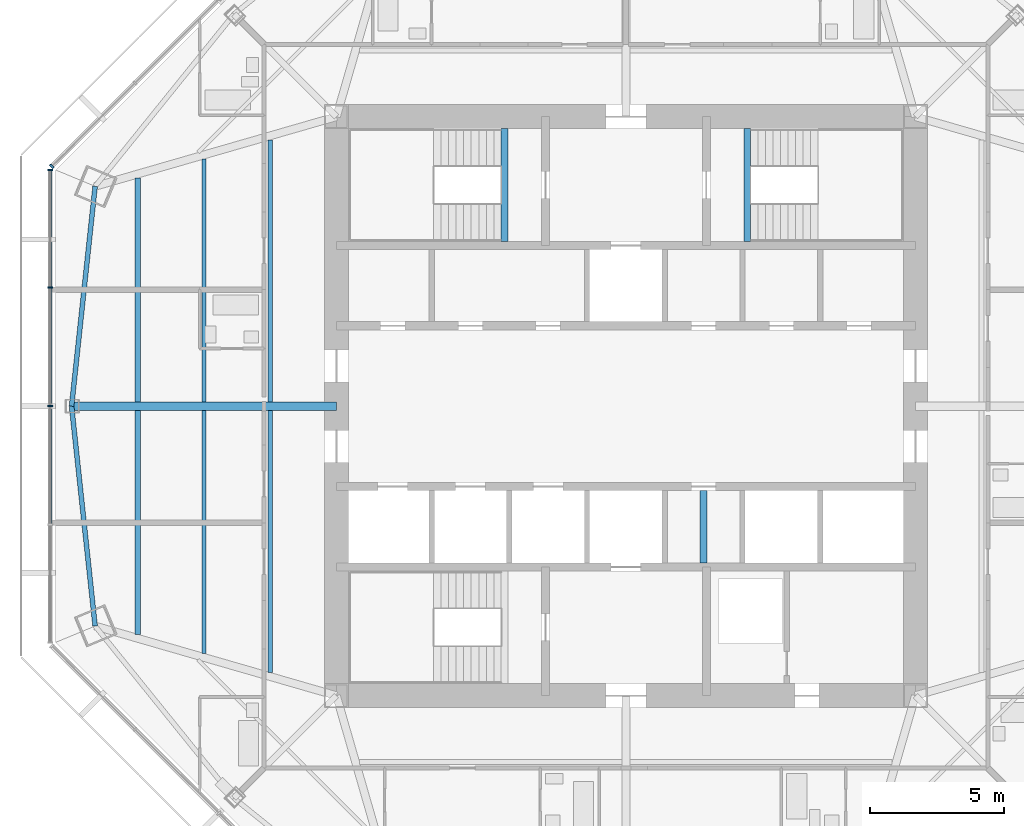
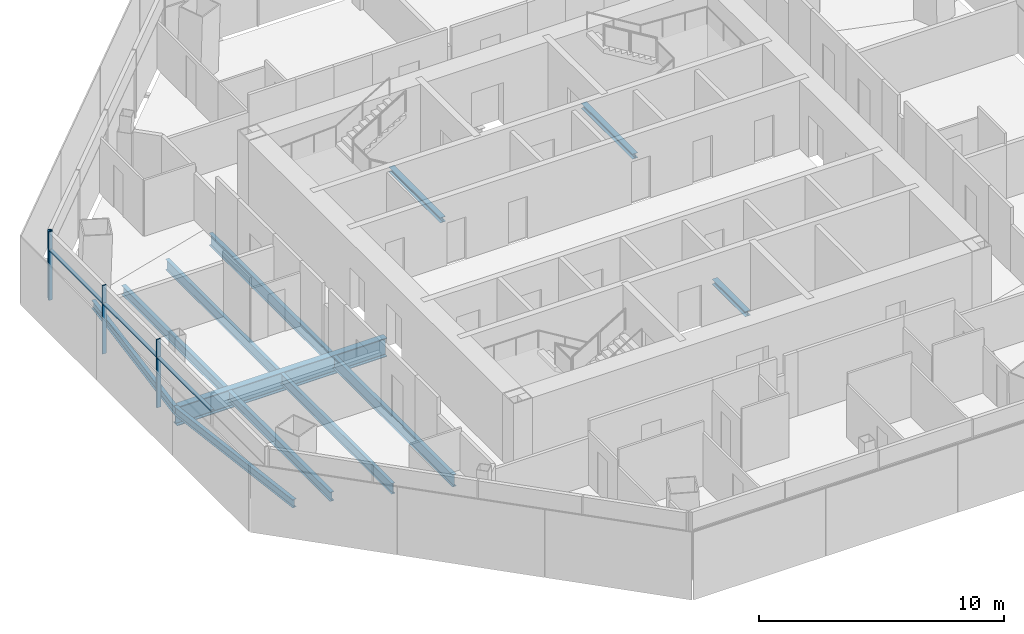
# One storey, part 3 of 15: 12 beams, 7 members, 2 elements without a shape of their own.
"""IFC4 building model written with IfcOpenShell, lengths in metres."""

from ifc_helpers import new_model, si_unit, direction, frame, origin, origin_2d, place, context, subcontext, project, spatial, rectangle, i_section, extrude, source, transform, mapped, material, material_profile, profile_set, type_object, type_shapes, element, aggregate, save


model = new_model("IFC4")

# Units and contexts
model_context = context("Model", 3, precision=1e-05, world=origin(), true_north=direction((0.0, 1.0)))
body_context = subcontext(model_context, "Body", "Model", "MODEL_VIEW")
ifc_project = project(units=[si_unit("LENGTHUNIT", "METRE"), si_unit("AREAUNIT", "SQUARE_METRE"), si_unit("VOLUMEUNIT", "CUBIC_METRE"), si_unit("PLANEANGLEUNIT", "RADIAN"), si_unit("MASSUNIT", "GRAM", prefix="KILO")], contexts=[model_context])

# Site, building, storey
site_placement = place(None, origin())
site = spatial("IfcSite", under=ifc_project, at=site_placement, CompositionType="ELEMENT")
building_placement = place(site_placement, origin())
building = spatial("IfcBuilding", under=site, at=building_placement, Name="Mashrafa Tower", CompositionType="ELEMENT")
storey_placement = place(building_placement, frame((0.0, 0.0, 231.199951171875)))
storey = spatial("IfcBuildingStorey", under=building, at=storey_placement, Name="L54", CompositionType="ELEMENT", Elevation=231.199951171875)

# Beams
ifc_material_1 = material(Name="Steel ASTM A992", Category="steel")
ifc_material_profile_1 = material_profile(ifc_material_1, i_section(OverallWidth=0.177734375, OverallDepth=0.406494140625, WebThickness=0.0078125, FlangeThickness=0.012939453125, FilletRadius=0.01025390625, at=origin_2d()), Name="W16X40")
ifc_profile_set_1 = profile_set([ifc_material_profile_1], Name="Steel ASTM A992")
beam_type_1 = type_object("IfcBeamType", Name="Beam W16X40", PredefinedType="BEAM", material=ifc_profile_set_1)
for number, where, z_axis, x_axis, name in (
    (1, (-20.68017578125, 0.0, -0.403076171875), (0.106487143037, -0.994314079337, 0.0), (0.994314079337, 0.106487143037, 0.0), "Spandrel beam L54 049"),
    (2, (-19.8017578125, 8.2021484375, -0.403076171875), (-0.106487143037, -0.994314079337, 0.0), (0.994314079337, -0.106487143037, 0.0), "Spandrel beam L54 051"),
):
    element("IfcBeam", number, at=place(storey_placement, frame(where, z_axis=z_axis, x_axis=x_axis)), inside=storey, type_object=beam_type_1, Name=name, PredefinedType="BEAM", context=body_context, shape_type="SweptSolid", body=[
        extrude(i_section(OverallWidth=0.177734375, OverallDepth=0.406494140625, WebThickness=0.0078125, FlangeThickness=0.012939453125, FilletRadius=0.01025390625, at=origin_2d()), origin(), (0.0, 0.0, 1.0), 8.2490234375),
    ])
ifc_material_2 = material(Name="Steel ASTM A992", Category="steel")
ifc_material_profile_2 = material_profile(ifc_material_2, i_section(OverallWidth=0.191162109375, OverallDepth=0.459716796875, WebThickness=0.010009765625, FlangeThickness=0.01611328125, FilletRadius=0.01025390625, at=origin_2d()), Name="W18X55")
ifc_profile_set_2 = profile_set([ifc_material_profile_2], Name="Steel ASTM A992")
beam_type_2 = type_object("IfcBeamType", Name="Beam W18X55", PredefinedType="BEAM", material=ifc_profile_set_2)
for number, where, z_axis, x_axis, name in (
    (3, (-18.210205078125, -8.509521484375, -0.429931640625), (0.0, 1.0, 0.0), (-1.0, 0.0, 0.0), "Floor beam L54 001"),
    (4, (-18.210205078125, 0.15380859375, -0.429931640625), (0.0, 1.0, 0.0), (-1.0, 0.0, 0.0), "Floor beam L54 002"),
):
    element("IfcBeam", number, at=place(storey_placement, frame(where, z_axis=z_axis, x_axis=x_axis)), inside=storey, type_object=beam_type_2, Name=name, PredefinedType="BEAM", context=body_context, shape_type="SweptSolid", body=[
        extrude(i_section(OverallWidth=0.191162109375, OverallDepth=0.459716796875, WebThickness=0.010009765625, FlangeThickness=0.01611328125, FilletRadius=0.01025390625, at=origin_2d()), origin(), (0.0, 0.0, 1.0), 8.355712890625),
    ])
ifc_material_3 = material(Name="Steel ASTM A992", Category="steel")
ifc_material_profile_3 = material_profile(ifc_material_3, i_section(OverallWidth=0.1650390625, OverallDepth=0.52587890625, WebThickness=0.0087890625, FlangeThickness=0.011474609375, FilletRadius=0.0126953125, at=origin_2d()), Name="W21X44")
ifc_profile_set_3 = profile_set([ifc_material_profile_3], Name="Steel ASTM A992")
beam_type_3 = type_object("IfcBeamType", Name="Beam W21X44", PredefinedType="BEAM", material=ifc_profile_set_3)
for number, where, z_axis, x_axis, name in (
    (5, (-15.739990234375, -9.222412109375, -0.462890625), (0.0, 1.0, 0.0), (-1.0, 0.0, 0.0), "Floor beam L54 004"),
    (6, (-15.739990234375, 0.15380859375, -0.462890625), (0.0, 1.0, 0.0), (-1.0, 0.0, 0.0), "Floor beam L54 005"),
):
    element("IfcBeam", number, at=place(storey_placement, frame(where, z_axis=z_axis, x_axis=x_axis)), inside=storey, type_object=beam_type_3, Name=name, PredefinedType="BEAM", context=body_context, shape_type="SweptSolid", body=[
        extrude(i_section(OverallWidth=0.1650390625, OverallDepth=0.52587890625, WebThickness=0.0087890625, FlangeThickness=0.011474609375, FilletRadius=0.0126953125, at=origin_2d()), origin(), (0.0, 0.0, 1.0), 9.068603515625),
    ])
ifc_material_4 = material(Name="Steel ASTM A992", Category="steel")
ifc_material_profile_4 = material_profile(ifc_material_4, i_section(OverallWidth=0.177978515625, OverallDepth=0.599365234375, WebThickness=0.010009765625, FlangeThickness=0.012939453125, FilletRadius=0.012939453125, at=origin_2d()), Name="W24X55")
ifc_profile_set_4 = profile_set([ifc_material_profile_4], Name="Steel ASTM A992")
beam_type_4 = type_object("IfcBeamType", Name="Beam W24X55", PredefinedType="BEAM", material=ifc_profile_set_4)
for number, where, z_axis, x_axis, name in (
    (7, (-13.27001953125, -9.935302734375, -0.499755859375), (0.0, 1.0, 0.0), (-1.0, 0.0, 0.0), "Floor beam L54 006"),
    (8, (-13.27001953125, 0.15380859375, -0.499755859375), (0.0, 1.0, 0.0), (-1.0, 0.0, 0.0), "Floor beam L54 007"),
):
    element("IfcBeam", number, at=place(storey_placement, frame(where, z_axis=z_axis, x_axis=x_axis)), inside=storey, type_object=beam_type_4, Name=name, PredefinedType="BEAM", context=body_context, shape_type="SweptSolid", body=[
        extrude(i_section(OverallWidth=0.177978515625, OverallDepth=0.599365234375, WebThickness=0.010009765625, FlangeThickness=0.012939453125, FilletRadius=0.012939453125, at=origin_2d()), origin(), (0.0, 0.0, 1.0), 9.781494140625),
    ])
ifc_material_5 = material(Name="Steel ASTM A992", Category="steel")
ifc_material_profile_5 = material_profile(ifc_material_5, i_section(OverallWidth=0.307373046875, OverallDepth=0.927001953125, WebThickness=0.01953125, FlangeThickness=0.031982421875, FilletRadius=0.01904296875, at=origin_2d()), Name="W36X194")
ifc_profile_set_5 = profile_set([ifc_material_profile_5], Name="Steel ASTM A992")
beam_type_5 = type_object("IfcBeamType", Name="Beam W36X194", PredefinedType="BEAM", material=ifc_profile_set_5)
beam_1_placement = place(storey_placement, frame((-10.800048828125, 0.0, -0.66357421875), z_axis=(-1.0, 0.0, 0.0), x_axis=(0.0, -1.0, 0.0)))
element("IfcBeam", 9, at=beam_1_placement, inside=storey, type_object=beam_type_5, Name="Radial girder L54 036", PredefinedType="BEAM", context=body_context, shape_type="SweptSolid", body=[
    extrude(i_section(OverallWidth=0.307373046875, OverallDepth=0.927001953125, WebThickness=0.01953125, FlangeThickness=0.031982421875, FilletRadius=0.01904296875, at=origin_2d()), origin(), (0.0, 0.0, 1.0), 9.880126953125),
])
ifc_material_6 = material(Name="Steel ASTM A992", Category="steel")
ifc_material_profile_6 = material_profile(ifc_material_6, i_section(OverallWidth=0.25390625, OverallDepth=0.25390625, WebThickness=0.008544921875, FlangeThickness=0.01416015625, FilletRadius=0.010009765625, at=origin_2d()), Name="W10X49")
ifc_profile_set_6 = profile_set([ifc_material_profile_6], Name="Steel ASTM A992")
beam_type_6 = type_object("IfcBeamType", Name="Hoistway beam W10X49", PredefinedType="BEAM", material=ifc_profile_set_6)
beam_2_placement = place(storey_placement, frame((2.89990234375, -5.85009765625, -0.326904296875), z_axis=(0.0, 1.0, 0.0), x_axis=(-1.0, 0.0, 0.0)))
element("IfcBeam", 10, at=beam_2_placement, inside=storey, type_object=beam_type_6, Name="Hoistway beam L54 07", PredefinedType="BEAM", context=body_context, shape_type="SweptSolid", body=[
    extrude(i_section(OverallWidth=0.25390625, OverallDepth=0.25390625, WebThickness=0.008544921875, FlangeThickness=0.01416015625, FilletRadius=0.010009765625, at=origin_2d()), origin(), (0.0, 0.0, 1.0), 2.7001953125),
])
for number, where, z_axis, x_axis, name in (
    (11, (-4.530029296875, 6.14990234375, -0.326904296875), (0.0, 1.0, 0.0), (-1.0, 0.0, 0.0), "Stair S1 landing beam L54"),
    (12, (4.530029296875, 6.14990234375, -0.326904296875), (0.0, 1.0, 0.0), (-1.0, 0.0, 0.0), "Stair S2 landing beam L54"),
):
    element("IfcBeam", number, at=place(storey_placement, frame(where, z_axis=z_axis, x_axis=x_axis)), inside=storey, type_object=beam_type_6, Name=name, PredefinedType="BEAM", context=body_context, shape_type="SweptSolid", body=[
        extrude(i_section(OverallWidth=0.25390625, OverallDepth=0.25390625, WebThickness=0.008544921875, FlangeThickness=0.01416015625, FilletRadius=0.010009765625, at=origin_2d()), origin(), (0.0, 0.0, 1.0), 4.2001953125),
    ])

# Curtain wall, member
ifc_material_7 = material(Name="Unitised aluminium curtain wall", Category="aluminium")
curtain_wall_type = type_object("IfcCurtainWallType", Name="Apartment curtain wall, zone 3 CW-C 180 deep", PredefinedType="NOTDEFINED", material=ifc_material_7)
curtain_wall_1_placement = place(storey_placement, origin())
curtain_wall_1 = element("IfcCurtainWall", 13, at=curtain_wall_1_placement, inside=storey, type_object=curtain_wall_type, Name="Apartment curtain wall, zone 3 L54 north-west", PredefinedType="NOTDEFINED")
ifc_material_8 = material(Name="Extruded aluminium mullion", Category="aluminium")
ifc_material_profile_7 = material_profile(ifc_material_8, rectangle(XDim=0.179931640625, YDim=0.06005859375, at=origin_2d()), Name="Mullion 60x180")
ifc_profile_set_7 = profile_set([ifc_material_profile_7], Name="Extruded aluminium mullion")
member_type_1 = type_object("IfcMemberType", Name="Mullion CW-C 60 x 180", PredefinedType="MULLION", material=ifc_profile_set_7)
shared_shape_1 = source(origin(), body_context, "Body", "SweptSolid", [
    extrude(rectangle(XDim=0.179931640625, YDim=0.06005859375, at=origin_2d()), origin(), (0.0, 0.0, 1.0), 3.400146484375),
])
type_shapes(member_type_1, [shared_shape_1])
member_1_placement = place(storey_placement, frame((-21.419677734375, 8.94970703125, 0.0), z_axis=(0.0, 0.0, 1.0), x_axis=(0.707106781187, -0.707106781187, 0.0)))
member_1 = element("IfcMember", 14, at=member_1_placement, type_object=member_type_1, Name="CW-C mullion 5", PredefinedType="MULLION", context=body_context, shape_type="MappedRepresentation", body=[
    mapped(shared_shape_1, transform((0.0, 0.0, 0.0))),
])
aggregate(curtain_wall_1, [member_1])

# Curtain wall, members
curtain_wall_2_placement = place(storey_placement, origin())
curtain_wall_2 = element("IfcCurtainWall", 15, at=curtain_wall_2_placement, inside=storey, type_object=curtain_wall_type, Name="Apartment curtain wall, zone 3 L54 west", PredefinedType="NOTDEFINED")
member_2_placement = place(storey_placement, frame((-21.474365234375, 8.817626953125, 0.0), z_axis=(0.0, 0.0, 1.0), x_axis=(1.0, 0.0, 0.0)))
member_2 = element("IfcMember", 16, at=member_2_placement, type_object=member_type_1, Name="CW-C mullion 1", PredefinedType="MULLION", context=body_context, shape_type="MappedRepresentation", body=[
    mapped(shared_shape_1, transform((0.0, 0.0, 0.0))),
])
member_3_placement = place(storey_placement, frame((-21.474365234375, 4.423828125, 0.0), z_axis=(0.0, 0.0, 1.0), x_axis=(1.0, 0.0, 0.0)))
member_3 = element("IfcMember", 17, at=member_3_placement, type_object=member_type_1, Name="CW-C mullion 2", PredefinedType="MULLION", context=body_context, shape_type="MappedRepresentation", body=[
    mapped(shared_shape_1, transform((0.0, 0.0, 0.0))),
])
member_4_placement = place(storey_placement, frame((-21.474365234375, 0.0, 0.0), z_axis=(0.0, 0.0, 1.0), x_axis=(1.0, 0.0, 0.0)))
member_4 = element("IfcMember", 18, at=member_4_placement, type_object=member_type_1, Name="CW-C mullion 3", PredefinedType="MULLION", context=body_context, shape_type="MappedRepresentation", body=[
    mapped(shared_shape_1, transform((0.0, 0.0, 0.0))),
])
ifc_material_9 = material(Name="Extruded aluminium transom", Category="aluminium")
ifc_material_profile_8 = material_profile(ifc_material_9, rectangle(XDim=0.14404296875, YDim=0.074951171875, at=origin_2d()), Name="Transom 75x144")
ifc_profile_set_8 = profile_set([ifc_material_profile_8], Name="Extruded aluminium transom")
member_type_2 = type_object("IfcMemberType", Name="Transom CW-C 75 x 144", PredefinedType="MULLION", material=ifc_profile_set_8)
shared_shape_2 = source(origin(), body_context, "Body", "SweptSolid", [
    extrude(rectangle(XDim=0.14404296875, YDim=0.074951171875, at=origin_2d()), origin(), (0.0, 0.0, 1.0), 4.333740234375),
])
member_5_placement = place(storey_placement, frame((-21.474365234375, 8.78759765625, 2.5), z_axis=(0.0, -1.0, 0.0), x_axis=(1.0, 0.0, 0.0)))
member_5 = element("IfcMember", 19, at=member_5_placement, type_object=member_type_2, Name="CW-C transom 1", PredefinedType="MULLION", context=body_context, shape_type="MappedRepresentation", body=[
    mapped(shared_shape_2, transform((0.0, 0.0, 0.0))),
])
shared_shape_3 = source(origin(), body_context, "Body", "SweptSolid", [
    extrude(rectangle(XDim=0.14404296875, YDim=0.074951171875, at=origin_2d()), origin(), (0.0, 0.0, 1.0), 4.36376953125),
])
type_shapes(member_type_2, [shared_shape_2, shared_shape_3])
member_6_placement = place(storey_placement, frame((-21.474365234375, 4.393798828125, 2.5), z_axis=(0.0, -1.0, 0.0), x_axis=(1.0, 0.0, 0.0)))
member_6 = element("IfcMember", 20, at=member_6_placement, type_object=member_type_2, Name="CW-C transom 2", PredefinedType="MULLION", context=body_context, shape_type="MappedRepresentation", body=[
    mapped(shared_shape_3, transform((0.0, 0.0, 0.0))),
])
member_7_placement = place(storey_placement, frame((-21.474365234375, -0.030029296875, 2.5), z_axis=(0.0, -1.0, 0.0), x_axis=(1.0, 0.0, 0.0)))
member_7 = element("IfcMember", 21, at=member_7_placement, type_object=member_type_2, Name="CW-C transom 3", PredefinedType="MULLION", context=body_context, shape_type="MappedRepresentation", body=[
    mapped(shared_shape_3, transform((0.0, 0.0, 0.0))),
])
aggregate(curtain_wall_2, [member_2, member_3, member_4, member_5, member_6, member_7])

save(model, "model.ifc")
